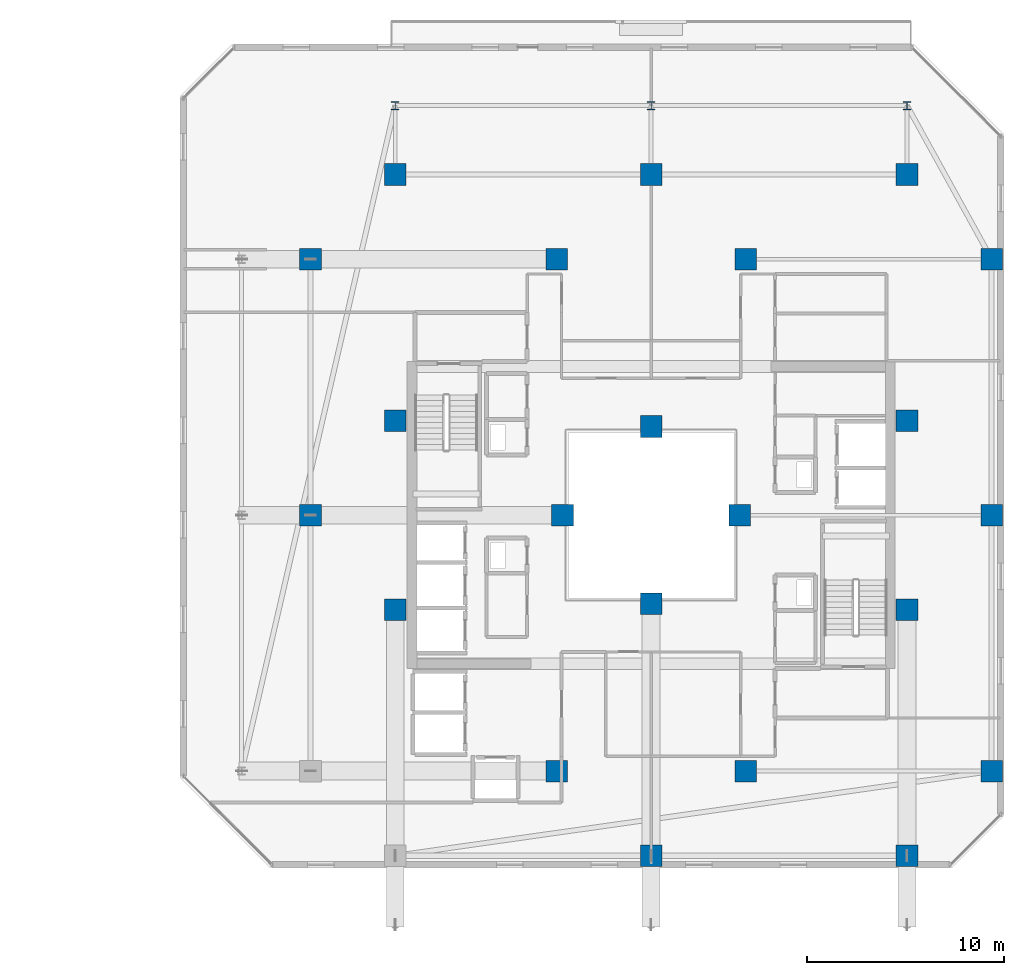
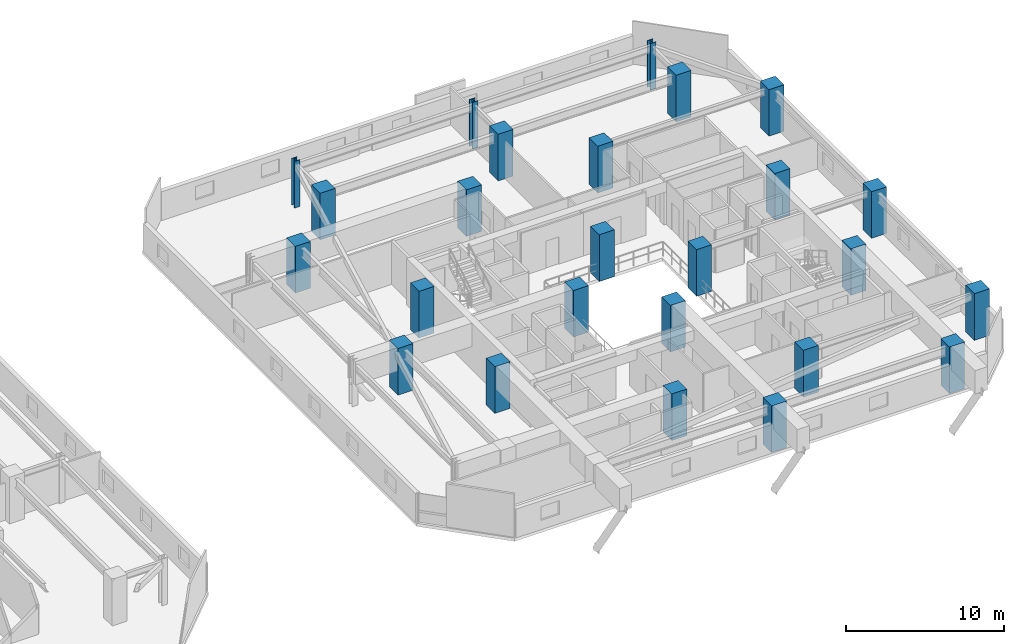
# One storey, part 2 of 36: 25 columns.
"""IFC4 building model written with IfcOpenShell, lengths in metres."""

from ifc_helpers import new_model, si_unit, direction, frame, origin, origin_2d, place, context, subcontext, project, spatial, rectangle, i_section, extrude, material, material_profile, profile_set, type_object, element, save


model = new_model("IFC4")

# Units and contexts
model_context = context("Model", 3, precision=1e-05, world=origin(), true_north=direction((0.0, 1.0)))
body_context = subcontext(model_context, "Body", "Model", "MODEL_VIEW")
ifc_project = project(units=[si_unit("LENGTHUNIT", "METRE"), si_unit("AREAUNIT", "SQUARE_METRE"), si_unit("VOLUMEUNIT", "CUBIC_METRE"), si_unit("PLANEANGLEUNIT", "RADIAN"), si_unit("MASSUNIT", "GRAM", prefix="KILO")], contexts=[model_context])

# Site, building, storey
site_placement = place(None, origin())
site = spatial("IfcSite", under=ifc_project, at=site_placement, CompositionType="ELEMENT")
building_placement = place(site_placement, origin())
building = spatial("IfcBuilding", under=site, at=building_placement, Name="Thornwick Lancets Civic Towers", CompositionType="ELEMENT")
storey_placement = place(building_placement, frame((0.0, 0.0, 196.5)))
storey = spatial("IfcBuildingStorey", under=building, at=storey_placement, Name="L52", CompositionType="ELEMENT", Elevation=196.5)

# Columns
ifc_material_1 = material(Name="Concrete C50/60", Category="concrete")
ifc_material_profile_1 = material_profile(ifc_material_1, rectangle(XDim=1.10009765625, YDim=1.10009765625, at=origin_2d()), Name="RC 1100x1100")
ifc_profile_set_1 = profile_set([ifc_material_profile_1], Name="Concrete C50/60")
column_type_1 = type_object("IfcColumnType", Name="COL_RC_1100", PredefinedType="COLUMN", material=ifc_profile_set_1)
for number, where, z_axis, x_axis, name in (
    (1, (105.800048828125, 14.0, 0.0), (0.0, 0.0, 1.0), (1.0, 0.0, 0.0), "L52 Spine Mega-Column B01"),
    (2, (105.800048828125, 27.0, 0.0), (0.0, 0.0, 1.0), (1.0, 0.0, 0.0), "L52 Spine Mega-Column B02"),
    (3, (105.800048828125, 40.0, 0.0), (0.0, 0.0, 1.0), (1.0, 0.0, 0.0), "L52 Spine Mega-Column B03"),
    (4, (101.5, 44.300048828125, 0.0), (0.0, 0.0, 1.0), (1.0, 0.0, 0.0), "L52 Spine Mega-Column B04"),
    (5, (88.5, 44.300048828125, 0.0), (0.0, 0.0, 1.0), (1.0, 0.0, 0.0), "L52 Spine Mega-Column B05"),
    (6, (75.5, 44.300048828125, 0.0), (0.0, 0.0, 1.0), (1.0, 0.0, 0.0), "L52 Spine Mega-Column B06"),
    (7, (71.199951171875, 27.0, 0.0), (0.0, 0.0, 1.0), (1.0, 0.0, 0.0), "L52 Spine Mega-Column B08"),
    (8, (71.199951171875, 40.0, 0.0), (0.0, 0.0, 1.0), (1.0, 0.0, 0.0), "L52 Spine Mega-Column B09"),
    (9, (101.5, 9.699951171875, 0.0), (0.0, 0.0, 1.0), (1.0, 0.0, 0.0), "L52 Spine Mega-Column B10"),
    (10, (88.5, 9.699951171875, 0.0), (0.0, 0.0, 1.0), (1.0, 0.0, 0.0), "L52 Spine Mega-Column B11"),
    (11, (93.300048828125, 14.0, 0.0), (0.0, 0.0, 1.0), (1.0, 0.0, 0.0), "L52 Spine Mega-Column B13"),
    (12, (93.300048828125, 40.0, 0.0), (0.0, 0.0, 1.0), (1.0, 0.0, 0.0), "L52 Spine Mega-Column B14"),
    (13, (83.699951171875, 14.0, 0.0), (0.0, 0.0, 1.0), (1.0, 0.0, 0.0), "L52 Spine Mega-Column B15"),
    (14, (83.699951171875, 40.0, 0.0), (0.0, 0.0, 1.0), (1.0, 0.0, 0.0), "L52 Spine Mega-Column B16"),
    (15, (101.5, 22.199951171875, 0.0), (0.0, 0.0, 1.0), (1.0, 0.0, 0.0), "L52 Spine Mega-Column B17"),
    (16, (101.5, 31.800048828125, 0.0), (0.0, 0.0, 1.0), (1.0, 0.0, 0.0), "L52 Spine Mega-Column B18"),
    (17, (75.5, 22.199951171875, 0.0), (0.0, 0.0, 1.0), (1.0, 0.0, 0.0), "L52 Spine Mega-Column B19"),
    (18, (75.5, 31.800048828125, 0.0), (0.0, 0.0, 1.0), (1.0, 0.0, 0.0), "L52 Spine Mega-Column B20"),
    (19, (93.0, 27.0, 0.0), (0.0, 0.0, 1.0), (1.0, 0.0, 0.0), "L52 Spine Mega-Column B21"),
    (20, (84.0, 27.0, 0.0), (0.0, 0.0, 1.0), (1.0, 0.0, 0.0), "L52 Spine Mega-Column B22"),
    (21, (88.5, 22.5, 0.0), (0.0, 0.0, 1.0), (1.0, 0.0, 0.0), "L52 Spine Mega-Column B23"),
    (22, (88.5, 31.5, 0.0), (0.0, 0.0, 1.0), (1.0, 0.0, 0.0), "L52 Spine Mega-Column B24"),
):
    element("IfcColumn", number, at=place(storey_placement, frame(where, z_axis=z_axis, x_axis=x_axis)), inside=storey, type_object=column_type_1, Name=name, PredefinedType="COLUMN", context=body_context, shape_type="SweptSolid", body=[
        extrude(rectangle(XDim=1.10009765625, YDim=1.10009765625, at=origin_2d()), origin(), (0.0, 0.0, 1.0), 3.60009765625),
    ])
ifc_material_2 = material(Name="Steel S460M", Category="steel")
ifc_material_profile_2 = material_profile(ifc_material_2, i_section(OverallWidth=0.406982421875, OverallDepth=0.4189453125, WebThickness=0.030517578125, FlangeThickness=0.04931640625, FilletRadius=0.01513671875, at=origin_2d()), Name="UKC 356x406x393")
ifc_profile_set_2 = profile_set([ifc_material_profile_2], Name="Steel S460M")
column_type_2 = type_object("IfcColumnType", Name="COL_UKC_393", PredefinedType="COLUMN", material=ifc_profile_set_2)
for number, where, z_axis, x_axis, name in (
    (23, (101.5, 47.800048828125, 0.0), (0.0, 0.0, 1.0), (1.0, 0.0, 0.0), "L52 Block Perimeter Column B04"),
    (24, (88.5, 47.800048828125, 0.0), (0.0, 0.0, 1.0), (1.0, 0.0, 0.0), "L52 Block Perimeter Column B05"),
    (25, (75.5, 47.800048828125, 0.0), (0.0, 0.0, 1.0), (1.0, 0.0, 0.0), "L52 Block Perimeter Column B06"),
):
    element("IfcColumn", number, at=place(storey_placement, frame(where, z_axis=z_axis, x_axis=x_axis)), inside=storey, type_object=column_type_2, Name=name, PredefinedType="COLUMN", context=body_context, shape_type="SweptSolid", body=[
        extrude(i_section(OverallWidth=0.406982421875, OverallDepth=0.4189453125, WebThickness=0.030517578125, FlangeThickness=0.04931640625, FilletRadius=0.01513671875, at=origin_2d()), origin(), (0.0, 0.0, 1.0), 3.60009765625),
    ])

save(model, "model.ifc")
